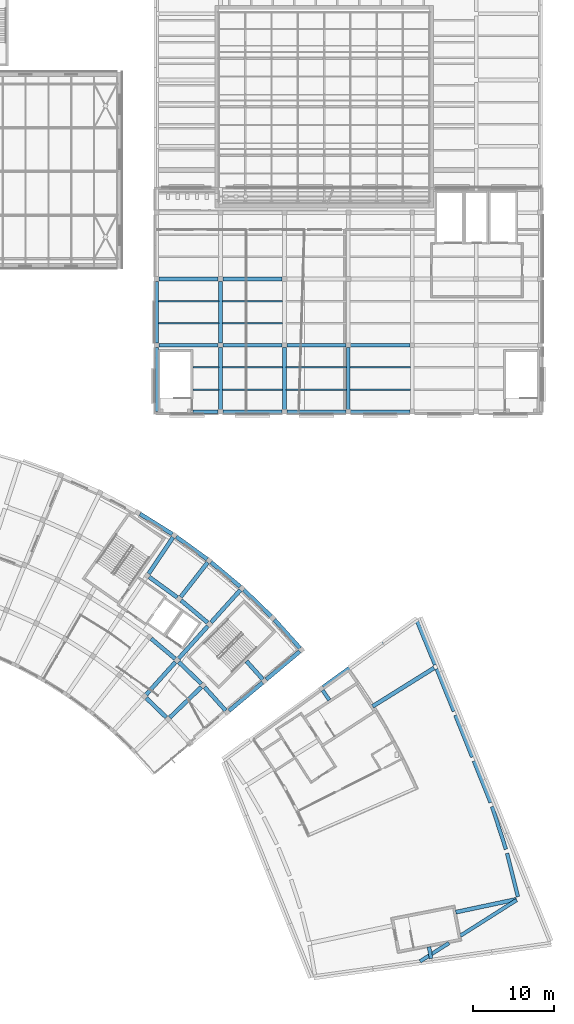
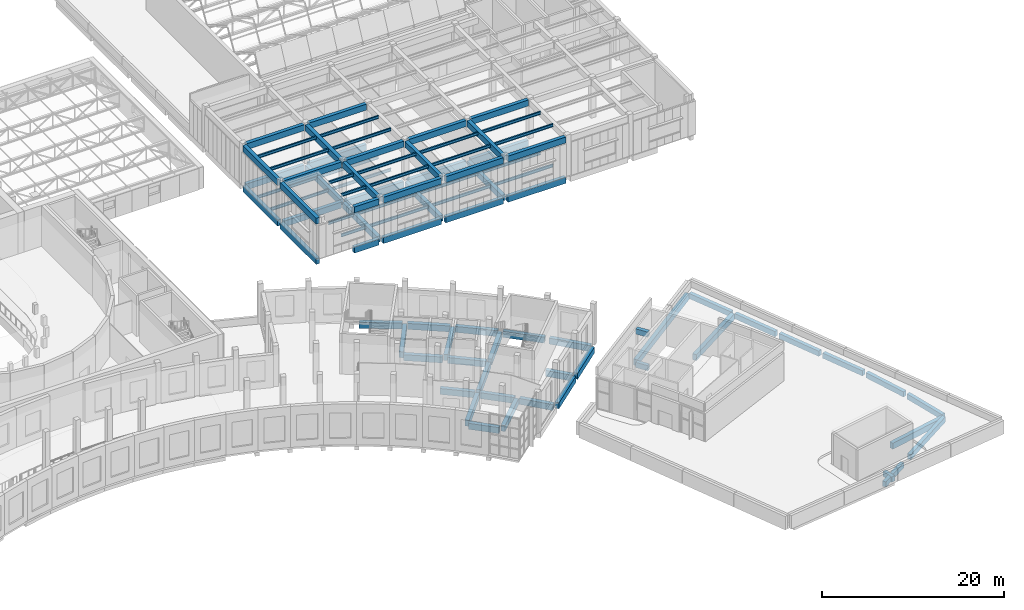
# One storey, part 46 of 132: 90 beams.
"""IFC4 building model written with IfcOpenShell, lengths in metres."""

from ifc_helpers import new_model, si_unit, direction, frame, origin, origin_2d, place, context, subcontext, project, spatial, rectangle, i_section, extrude, material, material_profile, profile_set, type_object, element, save


model = new_model("IFC4")

# Units and contexts
model_context = context("Model", 3, precision=1e-05, world=origin(), true_north=direction((0.0, 1.0)))
body_context = subcontext(model_context, "Body", "Model", "MODEL_VIEW")
ifc_project = project(units=[si_unit("LENGTHUNIT", "METRE"), si_unit("AREAUNIT", "SQUARE_METRE"), si_unit("VOLUMEUNIT", "CUBIC_METRE"), si_unit("PLANEANGLEUNIT", "RADIAN"), si_unit("MASSUNIT", "GRAM", prefix="KILO")], contexts=[model_context])

# Site, building, storey
site_placement = place(None, origin())
site = spatial("IfcSite", under=ifc_project, at=site_placement, CompositionType="ELEMENT")
building_placement = place(site_placement, origin())
building = spatial("IfcBuilding", under=site, at=building_placement, Name="Lunette Opera House", CompositionType="ELEMENT")
storey_placement = place(building_placement, frame((0.0, 0.0, 17.0)))
storey = spatial("IfcBuildingStorey", under=building, at=storey_placement, Name="L03", CompositionType="ELEMENT", Elevation=17.0)

# Beams
ifc_material_1 = material(Name="Concrete C35/45", Category="concrete")
ifc_material_profile_1 = material_profile(ifc_material_1, rectangle(XDim=0.449951171875, YDim=0.699951171875, at=origin_2d()), Name="RC BEAM 450X700")
ifc_profile_set_1 = profile_set([ifc_material_profile_1], Name="Concrete C35/45")
beam_type_1 = type_object("IfcBeamType", Name="RC BEAM 450X700", PredefinedType="BEAM", material=ifc_profile_set_1)
beam_1_placement = place(storey_placement, frame((156.823974609375, 43.864013671875, -0.64990234375), z_axis=(0.559555526977, -0.82879286449, 0.0), x_axis=(0.82879286449, 0.559555526977, 0.0)))
element("IfcBeam", 1, at=beam_1_placement, inside=storey, type_object=beam_type_1, Name="beam-SB-L03-L03G-RG10", PredefinedType="BEAM", context=body_context, shape_type="SweptSolid", body=[
    extrude(rectangle(XDim=0.449951171875, YDim=0.699951171875, at=origin_2d()), origin(), (0.0, 0.0, 1.0), 1.470703125),
])
beam_2_placement = place(storey_placement, frame((169.968994140625, 12.14697265625, -0.64990234375), z_axis=(0.173520096669, -0.98483032856, 0.0), x_axis=(0.98483032856, 0.173520096669, 0.0)))
element("IfcBeam", 2, at=beam_2_placement, inside=storey, type_object=beam_type_1, Name="beam-SB-L03-L03G-RG16", PredefinedType="BEAM", context=body_context, shape_type="SweptSolid", body=[
    extrude(rectangle(XDim=0.449951171875, YDim=0.699951171875, at=origin_2d()), origin(), (0.0, 0.0, 1.0), 1.47021484375),
])
beam_3_placement = place(storey_placement, frame((168.508056640625, 52.362060546875, -0.64990234375), z_axis=(0.380730757581, -0.924685941405, 0.0), x_axis=(0.924685941405, 0.380730757581, 0.0)))
element("IfcBeam", 3, at=beam_3_placement, inside=storey, type_object=beam_type_1, Name="beam-SB-L03-L03G-RG20", PredefinedType="BEAM", context=body_context, shape_type="SweptSolid", body=[
    extrude(rectangle(XDim=0.449951171875, YDim=0.699951171875, at=origin_2d()), origin(), (0.0, 0.0, 1.0), 5.802001953125),
])
beam_4_placement = place(storey_placement, frame((170.91796875, 46.506103515625, -0.64990234375), z_axis=(0.373792337648, -0.927512419494, 0.0), x_axis=(0.927512419494, 0.373792337648, 0.0)))
element("IfcBeam", 4, at=beam_4_placement, inside=storey, type_object=beam_type_1, Name="beam-SB-L03-L03G-RG21", PredefinedType="BEAM", context=body_context, shape_type="SweptSolid", body=[
    extrude(rectangle(XDim=0.449951171875, YDim=0.699951171875, at=origin_2d()), origin(), (0.0, 0.0, 1.0), 5.658203125),
])
beam_5_placement = place(storey_placement, frame((173.23193359375, 40.76611328125, -0.64990234375), z_axis=(0.374141105341, -0.927371788063, 0.0), x_axis=(0.927371788063, 0.374141105341, 0.0)))
element("IfcBeam", 5, at=beam_5_placement, inside=storey, type_object=beam_type_1, Name="beam-SB-L03-L03G-RG22", PredefinedType="BEAM", context=body_context, shape_type="SweptSolid", body=[
    extrude(rectangle(XDim=0.449951171875, YDim=0.699951171875, at=origin_2d()), origin(), (0.0, 0.0, 1.0), 5.5673828125),
])
beam_6_placement = place(storey_placement, frame((175.513916015625, 35.112060546875, -0.64990234375), z_axis=(0.374558549143, -0.927203264265, 0.0), x_axis=(0.927203264265, 0.374558549143, 0.0)))
element("IfcBeam", 6, at=beam_6_placement, inside=storey, type_object=beam_type_1, Name="beam-SB-L03-L03G-RG23", PredefinedType="BEAM", context=body_context, shape_type="SweptSolid", body=[
    extrude(rectangle(XDim=0.449951171875, YDim=0.699951171875, at=origin_2d()), origin(), (0.0, 0.0, 1.0), 5.537109375),
])
beam_7_placement = place(storey_placement, frame((177.76904296875, 29.47998046875, -0.64990234375), z_axis=(0.30910401414, -0.951028237458, 0.0), x_axis=(0.951028237458, 0.30910401414, 0.0)))
element("IfcBeam", 7, at=beam_7_placement, inside=storey, type_object=beam_type_1, Name="beam-SB-L03-L03G-RG24", PredefinedType="BEAM", context=body_context, shape_type="SweptSolid", body=[
    extrude(rectangle(XDim=0.449951171875, YDim=0.699951171875, at=origin_2d()), origin(), (0.0, 0.0, 1.0), 5.538330078125),
])
beam_8_placement = place(storey_placement, frame((179.626953125, 23.7041015625, -0.64990234375), z_axis=(0.241830131183, -0.970318601106, 0.0), x_axis=(0.970318601106, 0.241830131183, 0.0)))
element("IfcBeam", 8, at=beam_8_placement, inside=storey, type_object=beam_type_1, Name="beam-SB-L03-L03G-RG25", PredefinedType="BEAM", context=body_context, shape_type="SweptSolid", body=[
    extrude(rectangle(XDim=0.449951171875, YDim=0.699951171875, at=origin_2d()), origin(), (0.0, 0.0, 1.0), 5.537353515625),
])
beam_9_placement = place(storey_placement, frame((180.806884765625, 17.931884765625, -0.64990234375), z_axis=(-0.844138835531, -0.536124636954, 0.0), x_axis=(0.536124636954, -0.844138835531, 0.0)))
element("IfcBeam", 9, at=beam_9_placement, inside=storey, type_object=beam_type_1, Name="beam-SB-L03-L03G-RG26", PredefinedType="BEAM", context=body_context, shape_type="SweptSolid", body=[
    extrude(rectangle(XDim=0.449951171875, YDim=0.699951171875, at=origin_2d()), origin(), (0.0, 0.0, 1.0), 8.249755859375),
])
beam_10_placement = place(storey_placement, frame((172.445068359375, 12.6220703125, -0.64990234375), z_axis=(-0.844124171518, -0.536147725034, 0.0), x_axis=(0.536147725034, -0.844124171518, 0.0)))
element("IfcBeam", 10, at=beam_10_placement, inside=storey, type_object=beam_type_1, Name="beam-SB-L03-L03G-RG26-1", PredefinedType="BEAM", context=body_context, shape_type="SweptSolid", body=[
    extrude(rectangle(XDim=0.449951171875, YDim=0.699951171875, at=origin_2d()), origin(), (0.0, 0.0, 1.0), 4.23388671875),
])
beam_11_placement = place(storey_placement, frame((156.823974609375, 43.864013671875, 3.85009765625), z_axis=(0.559555526977, -0.82879286449, 0.0), x_axis=(0.82879286449, 0.559555526977, 0.0)))
element("IfcBeam", 11, at=beam_11_placement, inside=storey, type_object=beam_type_1, Name="beam-SB-L03-L03R-RG10", PredefinedType="BEAM", context=body_context, shape_type="SweptSolid", body=[
    extrude(rectangle(XDim=0.449951171875, YDim=0.699951171875, at=origin_2d()), origin(), (0.0, 0.0, 1.0), 1.470703125),
])
ifc_material_2 = material(Name="Concrete C35/45", Category="concrete")
ifc_material_profile_2 = material_profile(ifc_material_2, rectangle(XDim=0.449951171875, YDim=0.800048828125, at=origin_2d()), Name="RC BEAM 450X800")
ifc_profile_set_2 = profile_set([ifc_material_profile_2], Name="Concrete C35/45")
beam_type_2 = type_object("IfcBeamType", Name="RC BEAM 450X800", PredefinedType="BEAM", material=ifc_profile_set_2)
beam_12_placement = place(storey_placement, frame((136.300048828125, 78.300048828125, -0.550048828125), z_axis=(0.0, 1.0, 0.0), x_axis=(-1.0, 0.0, 0.0)))
element("IfcBeam", 12, at=beam_12_placement, inside=storey, type_object=beam_type_2, Name="beam-WW-L03-L03-GY00", PredefinedType="BEAM", context=body_context, shape_type="SweptSolid", body=[
    extrude(rectangle(XDim=0.449951171875, YDim=0.800048828125, at=origin_2d()), origin(), (0.0, 0.0, 1.0), 7.909912109375),
])
for number, where, z_axis, x_axis, name in (
    (13, (136.300048828125, 86.7900390625, -0.550048828125), (0.0, 1.0, 0.0), (-1.0, 0.0, 0.0), "beam-WW-L03-L03-GY01"),
    (14, (144.199951171875, 78.590087890625, -0.550048828125), (0.0, 1.0, 0.0), (-1.0, 0.0, 0.0), "beam-WW-L03-L03-GY10"),
    (15, (144.199951171875, 86.7900390625, -0.550048828125), (0.0, 1.0, 0.0), (-1.0, 0.0, 0.0), "beam-WW-L03-L03-GY11"),
    (16, (152.10009765625, 78.590087890625, -0.550048828125), (0.0, 1.0, 0.0), (-1.0, 0.0, 0.0), "beam-WW-L03-L03-GY20"),
    (17, (160.0, 78.590087890625, -0.550048828125), (0.0, 1.0, 0.0), (-1.0, 0.0, 0.0), "beam-WW-L03-L03-GY30"),
):
    element("IfcBeam", number, at=place(storey_placement, frame(where, z_axis=z_axis, x_axis=x_axis)), inside=storey, type_object=beam_type_2, Name=name, PredefinedType="BEAM", context=body_context, shape_type="SweptSolid", body=[
        extrude(rectangle(XDim=0.449951171875, YDim=0.800048828125, at=origin_2d()), origin(), (0.0, 0.0, 1.0), 7.619873046875),
    ])
beam_13_placement = place(storey_placement, frame((140.7900390625, 78.300048828125, -0.550048828125), z_axis=(1.0, 0.0, 0.0), x_axis=(0.0, 1.0, 0.0)))
element("IfcBeam", 18, at=beam_13_placement, inside=storey, type_object=beam_type_2, Name="beam-WW-L03-L03-GX00", PredefinedType="BEAM", context=body_context, shape_type="SweptSolid", body=[
    extrude(rectangle(XDim=0.449951171875, YDim=0.800048828125, at=origin_2d()), origin(), (0.0, 0.0, 1.0), 3.119873046875),
])
for number, where, z_axis, x_axis, name in (
    (19, (144.489990234375, 78.300048828125, -0.550048828125), (1.0, 0.0, 0.0), (0.0, 1.0, 0.0), "beam-WW-L03-L03-GX10"),
    (20, (152.389892578125, 78.300048828125, -0.550048828125), (1.0, 0.0, 0.0), (0.0, 1.0, 0.0), "beam-WW-L03-L03-GX20"),
    (21, (160.2900390625, 78.300048828125, -0.550048828125), (1.0, 0.0, 0.0), (0.0, 1.0, 0.0), "beam-WW-L03-L03-GX30"),
):
    element("IfcBeam", number, at=place(storey_placement, frame(where, z_axis=z_axis, x_axis=x_axis)), inside=storey, type_object=beam_type_2, Name=name, PredefinedType="BEAM", context=body_context, shape_type="SweptSolid", body=[
        extrude(rectangle(XDim=0.449951171875, YDim=0.800048828125, at=origin_2d()), origin(), (0.0, 0.0, 1.0), 7.320068359375),
    ])
beam_14_placement = place(storey_placement, frame((136.590087890625, 86.5, -0.550048828125), z_axis=(1.0, 0.0, 0.0), x_axis=(0.0, 1.0, 0.0)))
element("IfcBeam", 22, at=beam_14_placement, inside=storey, type_object=beam_type_2, Name="beam-WW-L03-L03-GX01", PredefinedType="BEAM", context=body_context, shape_type="SweptSolid", body=[
    extrude(rectangle(XDim=0.449951171875, YDim=0.800048828125, at=origin_2d()), origin(), (0.0, 0.0, 1.0), 7.31982421875),
])
for number, where, z_axis, x_axis, name in (
    (23, (144.489990234375, 86.5, -0.550048828125), (1.0, 0.0, 0.0), (0.0, 1.0, 0.0), "beam-WW-L03-L03-GX11"),
    (24, (152.389892578125, 86.5, -0.550048828125), (1.0, 0.0, 0.0), (0.0, 1.0, 0.0), "beam-WW-L03-L03-GX21"),
    (25, (160.2900390625, 86.5, -0.550048828125), (1.0, 0.0, 0.0), (0.0, 1.0, 0.0), "beam-WW-L03-L03-GX31"),
):
    element("IfcBeam", number, at=place(storey_placement, frame(where, z_axis=z_axis, x_axis=x_axis)), inside=storey, type_object=beam_type_2, Name=name, PredefinedType="BEAM", context=body_context, shape_type="SweptSolid", body=[
        extrude(rectangle(XDim=0.449951171875, YDim=0.800048828125, at=origin_2d()), origin(), (0.0, 0.0, 1.0), 7.320068359375),
    ])
beam_15_placement = place(storey_placement, frame((136.590087890625, 94.699951171875, -0.550048828125), z_axis=(1.0, 0.0, 0.0), x_axis=(0.0, 1.0, 0.0)))
element("IfcBeam", 26, at=beam_15_placement, inside=storey, type_object=beam_type_2, Name="beam-WW-L03-L03-GX02", PredefinedType="BEAM", context=body_context, shape_type="SweptSolid", body=[
    extrude(rectangle(XDim=0.449951171875, YDim=0.800048828125, at=origin_2d()), origin(), (0.0, 0.0, 1.0), 7.31982421875),
])
beam_16_placement = place(storey_placement, frame((144.489990234375, 94.699951171875, -0.550048828125), z_axis=(1.0, 0.0, 0.0), x_axis=(0.0, 1.0, 0.0)))
element("IfcBeam", 27, at=beam_16_placement, inside=storey, type_object=beam_type_2, Name="beam-WW-L03-L03-GX12", PredefinedType="BEAM", context=body_context, shape_type="SweptSolid", body=[
    extrude(rectangle(XDim=0.449951171875, YDim=0.800048828125, at=origin_2d()), origin(), (0.0, 0.0, 1.0), 7.320068359375),
])
beam_17_placement = place(storey_placement, frame((136.300048828125, 78.300048828125, 4.85009765625), z_axis=(0.0, 1.0, 0.0), x_axis=(-1.0, 0.0, 0.0)))
element("IfcBeam", 28, at=beam_17_placement, inside=storey, type_object=beam_type_2, Name="beam-WW-L03-L03R-GY00", PredefinedType="BEAM", context=body_context, shape_type="SweptSolid", body=[
    extrude(rectangle(XDim=0.449951171875, YDim=0.800048828125, at=origin_2d()), origin(), (0.0, 0.0, 1.0), 7.909912109375),
])
for number, where, z_axis, x_axis, name in (
    (29, (136.300048828125, 86.7900390625, 4.85009765625), (0.0, 1.0, 0.0), (-1.0, 0.0, 0.0), "beam-WW-L03-L03R-GY01"),
    (30, (144.199951171875, 78.590087890625, 4.85009765625), (0.0, 1.0, 0.0), (-1.0, 0.0, 0.0), "beam-WW-L03-L03R-GY10"),
    (31, (144.199951171875, 86.7900390625, 4.85009765625), (0.0, 1.0, 0.0), (-1.0, 0.0, 0.0), "beam-WW-L03-L03R-GY11"),
    (32, (152.10009765625, 78.590087890625, 4.85009765625), (0.0, 1.0, 0.0), (-1.0, 0.0, 0.0), "beam-WW-L03-L03R-GY20"),
    (33, (160.0, 78.590087890625, 4.85009765625), (0.0, 1.0, 0.0), (-1.0, 0.0, 0.0), "beam-WW-L03-L03R-GY30"),
):
    element("IfcBeam", number, at=place(storey_placement, frame(where, z_axis=z_axis, x_axis=x_axis)), inside=storey, type_object=beam_type_2, Name=name, PredefinedType="BEAM", context=body_context, shape_type="SweptSolid", body=[
        extrude(rectangle(XDim=0.449951171875, YDim=0.800048828125, at=origin_2d()), origin(), (0.0, 0.0, 1.0), 7.619873046875),
    ])
beam_18_placement = place(storey_placement, frame((140.7900390625, 78.300048828125, 4.85009765625), z_axis=(1.0, 0.0, 0.0), x_axis=(0.0, 1.0, 0.0)))
element("IfcBeam", 34, at=beam_18_placement, inside=storey, type_object=beam_type_2, Name="beam-WW-L03-L03R-GX00", PredefinedType="BEAM", context=body_context, shape_type="SweptSolid", body=[
    extrude(rectangle(XDim=0.449951171875, YDim=0.800048828125, at=origin_2d()), origin(), (0.0, 0.0, 1.0), 3.119873046875),
])
for number, where, z_axis, x_axis, name in (
    (35, (144.489990234375, 78.300048828125, 4.85009765625), (1.0, 0.0, 0.0), (0.0, 1.0, 0.0), "beam-WW-L03-L03R-GX10"),
    (36, (152.389892578125, 78.300048828125, 4.85009765625), (1.0, 0.0, 0.0), (0.0, 1.0, 0.0), "beam-WW-L03-L03R-GX20"),
    (37, (160.2900390625, 78.300048828125, 4.85009765625), (1.0, 0.0, 0.0), (0.0, 1.0, 0.0), "beam-WW-L03-L03R-GX30"),
):
    element("IfcBeam", number, at=place(storey_placement, frame(where, z_axis=z_axis, x_axis=x_axis)), inside=storey, type_object=beam_type_2, Name=name, PredefinedType="BEAM", context=body_context, shape_type="SweptSolid", body=[
        extrude(rectangle(XDim=0.449951171875, YDim=0.800048828125, at=origin_2d()), origin(), (0.0, 0.0, 1.0), 7.320068359375),
    ])
beam_19_placement = place(storey_placement, frame((136.590087890625, 86.5, 4.85009765625), z_axis=(1.0, 0.0, 0.0), x_axis=(0.0, 1.0, 0.0)))
element("IfcBeam", 38, at=beam_19_placement, inside=storey, type_object=beam_type_2, Name="beam-WW-L03-L03R-GX01", PredefinedType="BEAM", context=body_context, shape_type="SweptSolid", body=[
    extrude(rectangle(XDim=0.449951171875, YDim=0.800048828125, at=origin_2d()), origin(), (0.0, 0.0, 1.0), 7.31982421875),
])
for number, where, z_axis, x_axis, name in (
    (39, (144.489990234375, 86.5, 4.85009765625), (1.0, 0.0, 0.0), (0.0, 1.0, 0.0), "beam-WW-L03-L03R-GX11"),
    (40, (152.389892578125, 86.5, 4.85009765625), (1.0, 0.0, 0.0), (0.0, 1.0, 0.0), "beam-WW-L03-L03R-GX21"),
    (41, (160.2900390625, 86.5, 4.85009765625), (1.0, 0.0, 0.0), (0.0, 1.0, 0.0), "beam-WW-L03-L03R-GX31"),
):
    element("IfcBeam", number, at=place(storey_placement, frame(where, z_axis=z_axis, x_axis=x_axis)), inside=storey, type_object=beam_type_2, Name=name, PredefinedType="BEAM", context=body_context, shape_type="SweptSolid", body=[
        extrude(rectangle(XDim=0.449951171875, YDim=0.800048828125, at=origin_2d()), origin(), (0.0, 0.0, 1.0), 7.320068359375),
    ])
beam_20_placement = place(storey_placement, frame((136.590087890625, 94.699951171875, 4.85009765625), z_axis=(1.0, 0.0, 0.0), x_axis=(0.0, 1.0, 0.0)))
element("IfcBeam", 42, at=beam_20_placement, inside=storey, type_object=beam_type_2, Name="beam-WW-L03-L03R-GX02", PredefinedType="BEAM", context=body_context, shape_type="SweptSolid", body=[
    extrude(rectangle(XDim=0.449951171875, YDim=0.800048828125, at=origin_2d()), origin(), (0.0, 0.0, 1.0), 7.31982421875),
])
beam_21_placement = place(storey_placement, frame((144.489990234375, 94.699951171875, 4.85009765625), z_axis=(1.0, 0.0, 0.0), x_axis=(0.0, 1.0, 0.0)))
element("IfcBeam", 43, at=beam_21_placement, inside=storey, type_object=beam_type_2, Name="beam-WW-L03-L03R-GX12", PredefinedType="BEAM", context=body_context, shape_type="SweptSolid", body=[
    extrude(rectangle(XDim=0.449951171875, YDim=0.800048828125, at=origin_2d()), origin(), (0.0, 0.0, 1.0), 7.320068359375),
])
ifc_material_3 = material(Name="Concrete C35/45", Category="concrete")
ifc_material_profile_3 = material_profile(ifc_material_3, rectangle(XDim=0.5, YDim=0.800048828125, at=origin_2d()), Name="RC BEAM 500X800")
ifc_profile_set_3 = profile_set([ifc_material_profile_3], Name="Concrete C35/45")
beam_type_3 = type_object("IfcBeamType", Name="RC BEAM 500X800", PredefinedType="BEAM", material=ifc_profile_set_3)
beam_22_placement = place(storey_placement, frame((135.305908203125, 58.27294921875, -0.6201171875), z_axis=(0.559110702561, 0.82909301184, 0.0), x_axis=(-0.82909301184, 0.559110702561, 0.0)))
element("IfcBeam", 44, at=beam_22_placement, inside=storey, type_object=beam_type_3, Name="beam-FC-L03-L03-RB-RL-22-4", PredefinedType="BEAM", context=body_context, shape_type="SweptSolid", body=[
    extrude(rectangle(XDim=0.5, YDim=0.800048828125, at=origin_2d()), origin(), (0.0, 0.0, 1.0), 5.41943359375),
])
beam_23_placement = place(storey_placement, frame((139.27490234375, 55.388916015625, -0.6201171875), z_axis=(0.615694738136, 0.78798476472, 0.0), x_axis=(-0.78798476472, 0.615694738136, 0.0)))
element("IfcBeam", 45, at=beam_23_placement, inside=storey, type_object=beam_type_3, Name="beam-FC-L03-L03-RB-RL-23-4", PredefinedType="BEAM", context=body_context, shape_type="SweptSolid", body=[
    extrude(rectangle(XDim=0.5, YDim=0.800048828125, at=origin_2d()), origin(), (0.0, 0.0, 1.0), 5.420166015625),
])
beam_24_placement = place(storey_placement, frame((135.00390625, 43.318115234375, -0.6201171875), z_axis=(0.669059303024, 0.743209021095, 0.0), x_axis=(-0.743209021095, 0.669059303024, 0.0)))
element("IfcBeam", 46, at=beam_24_placement, inside=storey, type_object=beam_type_3, Name="beam-FC-L03-L03-RB-RL-24-2", PredefinedType="BEAM", context=body_context, shape_type="SweptSolid", body=[
    extrude(rectangle(XDim=0.5, YDim=0.800048828125, at=origin_2d()), origin(), (0.0, 0.0, 1.0), 5.41943359375),
])
beam_25_placement = place(storey_placement, frame((139.01806640625, 47.777099609375, -0.6201171875), z_axis=(0.66915881677, 0.743119423739, 0.0), x_axis=(-0.743119423739, 0.66915881677, 0.0)))
element("IfcBeam", 47, at=beam_25_placement, inside=storey, type_object=beam_type_3, Name="beam-FC-L03-L03-RB-RL-24-3", PredefinedType="BEAM", context=body_context, shape_type="SweptSolid", body=[
    extrude(rectangle(XDim=0.5, YDim=0.800048828125, at=origin_2d()), origin(), (0.0, 0.0, 1.0), 5.420166015625),
])
beam_26_placement = place(storey_placement, frame((143.032958984375, 52.236083984375, -0.6201171875), z_axis=(0.669248417117, 0.743038731283, 0.0), x_axis=(-0.743038731283, 0.669248417117, 0.0)))
element("IfcBeam", 48, at=beam_26_placement, inside=storey, type_object=beam_type_3, Name="beam-FC-L03-L03-RB-RL-24-4", PredefinedType="BEAM", context=body_context, shape_type="SweptSolid", body=[
    extrude(rectangle(XDim=0.5, YDim=0.800048828125, at=origin_2d()), origin(), (0.0, 0.0, 1.0), 5.41943359375),
])
beam_27_placement = place(storey_placement, frame((137.929931640625, 40.491943359375, -0.6201171875), z_axis=(0.719362654248, 0.694634703764, 0.0), x_axis=(-0.694634703764, 0.719362654248, 0.0)))
element("IfcBeam", 49, at=beam_27_placement, inside=storey, type_object=beam_type_3, Name="beam-FC-L03-L03-RB-RL-25-2", PredefinedType="BEAM", context=body_context, shape_type="SweptSolid", body=[
    extrude(rectangle(XDim=0.5, YDim=0.800048828125, at=origin_2d()), origin(), (0.0, 0.0, 1.0), 5.42041015625),
])
beam_28_placement = place(storey_placement, frame((145.2490234375, 41.324951171875, -0.6201171875), z_axis=(0.76601623697, 0.642821222968, 0.0), x_axis=(-0.642821222968, 0.76601623697, 0.0)))
element("IfcBeam", 50, at=beam_28_placement, inside=storey, type_object=beam_type_3, Name="beam-FC-L03-L03-RB-RL-26-3", PredefinedType="BEAM", context=body_context, shape_type="SweptSolid", body=[
    extrude(rectangle(XDim=0.5, YDim=0.800048828125, at=origin_2d()), origin(), (0.0, 0.0, 1.0), 5.420166015625),
])
beam_29_placement = place(storey_placement, frame((149.844970703125, 45.181884765625, -0.6201171875), z_axis=(0.766123568509, 0.64269329993, 0.0), x_axis=(-0.64269329993, 0.766123568509, 0.0)))
element("IfcBeam", 51, at=beam_29_placement, inside=storey, type_object=beam_type_3, Name="beam-FC-L03-L03-RB-RL-26-4", PredefinedType="BEAM", context=body_context, shape_type="SweptSolid", body=[
    extrude(rectangle(XDim=0.5, YDim=0.800048828125, at=origin_2d()), origin(), (0.0, 0.0, 1.0), 5.419677734375),
])
beam_30_placement = place(storey_placement, frame((135.01904296875, 42.89990234375, -0.6201171875), z_axis=(0.719392966206, -0.694603311375, 0.0), x_axis=(0.694603311375, 0.719392966206, 0.0)))
element("IfcBeam", 52, at=beam_30_placement, inside=storey, type_object=beam_type_3, Name="beam-FC-L03-L03-RG-AR-M1-RL-24", PredefinedType="BEAM", context=body_context, shape_type="SweptSolid", body=[
    extrude(rectangle(XDim=0.5, YDim=0.800048828125, at=origin_2d()), origin(), (0.0, 0.0, 1.0), 3.466552734375),
])
beam_31_placement = place(storey_placement, frame((135.6240234375, 50.24609375, -0.6201171875), z_axis=(0.76614764774, -0.642664595153, 0.0), x_axis=(0.642664595153, 0.76614764774, 0.0)))
element("IfcBeam", 53, at=beam_31_placement, inside=storey, type_object=beam_type_3, Name="beam-FC-L03-L03-RG-AR-B-RL-23", PredefinedType="BEAM", context=body_context, shape_type="SweptSolid", body=[
    extrude(rectangle(XDim=0.5, YDim=0.800048828125, at=origin_2d()), origin(), (0.0, 0.0, 1.0), 3.886962890625),
])
beam_32_placement = place(storey_placement, frame((139.032958984375, 47.35888671875, -0.6201171875), z_axis=(0.719497793306, -0.694494726709, 0.0), x_axis=(0.694494726709, 0.719497793306, 0.0)))
element("IfcBeam", 54, at=beam_32_placement, inside=storey, type_object=beam_type_3, Name="beam-FC-L03-L03-RG-AR-B-RL-24", PredefinedType="BEAM", context=body_context, shape_type="SweptSolid", body=[
    extrude(rectangle(XDim=0.5, YDim=0.800048828125, at=origin_2d()), origin(), (0.0, 0.0, 1.0), 3.88623046875),
])
beam_33_placement = place(storey_placement, frame((142.23193359375, 44.241943359375, -0.6201171875), z_axis=(0.669238854245, -0.743047344365, 0.0), x_axis=(0.743047344365, 0.669238854245, 0.0)))
element("IfcBeam", 55, at=beam_33_placement, inside=storey, type_object=beam_type_3, Name="beam-FC-L03-L03-RG-AR-B-RL-25", PredefinedType="BEAM", context=body_context, shape_type="SweptSolid", body=[
    extrude(rectangle(XDim=0.5, YDim=0.800048828125, at=origin_2d()), origin(), (0.0, 0.0, 1.0), 3.88671875),
])
beam_34_placement = place(storey_placement, frame((135.37890625, 57.862060546875, -0.6201171875), z_axis=(0.809008257327, -0.587797277619, 0.0), x_axis=(0.587797277619, 0.809008257327, 0.0)))
element("IfcBeam", 56, at=beam_34_placement, inside=storey, type_object=beam_type_3, Name="beam-FC-L03-L03-RG-AR-M2-RL-22", PredefinedType="BEAM", context=body_context, shape_type="SweptSolid", body=[
    extrude(rectangle(XDim=0.5, YDim=0.800048828125, at=origin_2d()), origin(), (0.0, 0.0, 1.0), 4.30419921875),
])
beam_35_placement = place(storey_placement, frame((139.318115234375, 54.97412109375, -0.6201171875), z_axis=(0.766153717556, -0.642657358998, 0.0), x_axis=(0.642657358998, 0.766153717556, 0.0)))
element("IfcBeam", 57, at=beam_35_placement, inside=storey, type_object=beam_type_3, Name="beam-FC-L03-L03-RG-AR-M2-RL-23", PredefinedType="BEAM", context=body_context, shape_type="SweptSolid", body=[
    extrude(rectangle(XDim=0.5, YDim=0.800048828125, at=origin_2d()), origin(), (0.0, 0.0, 1.0), 4.3056640625),
])
beam_36_placement = place(storey_placement, frame((147.405029296875, 47.458984375, -0.6201171875), z_axis=(0.66908957812, -0.743181765419, 0.0), x_axis=(0.743181765419, 0.66908957812, 0.0)))
element("IfcBeam", 58, at=beam_36_placement, inside=storey, type_object=beam_type_3, Name="beam-FC-L03-L03-RG-AR-M2-RL-25", PredefinedType="BEAM", context=body_context, shape_type="SweptSolid", body=[
    extrude(rectangle(XDim=0.5, YDim=0.800048828125, at=origin_2d()), origin(), (0.0, 0.0, 1.0), 3.02490234375),
])
beam_37_placement = place(storey_placement, frame((134.24609375, 65.6640625, -0.6201171875), z_axis=(0.848102800319, -0.529831709217, 0.0), x_axis=(0.529831709217, 0.848102800319, 0.0)))
element("IfcBeam", 59, at=beam_37_placement, inside=storey, type_object=beam_type_3, Name="beam-FC-L03-L03-RG-AR-C-RL-21", PredefinedType="BEAM", context=body_context, shape_type="SweptSolid", body=[
    extrude(rectangle(XDim=0.5, YDim=0.800048828125, at=origin_2d()), origin(), (0.0, 0.0, 1.0), 4.724365234375),
])
beam_38_placement = place(storey_placement, frame((138.73388671875, 62.8359375, -0.6201171875), z_axis=(0.809044453517, -0.587747456169, 0.0), x_axis=(0.587747456169, 0.809044453517, 0.0)))
element("IfcBeam", 60, at=beam_38_placement, inside=storey, type_object=beam_type_3, Name="beam-FC-L03-L03-RG-AR-C-RL-22", PredefinedType="BEAM", context=body_context, shape_type="SweptSolid", body=[
    extrude(rectangle(XDim=0.5, YDim=0.800048828125, at=origin_2d()), origin(), (0.0, 0.0, 1.0), 4.722900390625),
])
beam_39_placement = place(storey_placement, frame((143.011962890625, 59.701904296875, -0.6201171875), z_axis=(0.76622683329, -0.642570182895, 0.0), x_axis=(0.642570182895, 0.76622683329, 0.0)))
element("IfcBeam", 61, at=beam_39_placement, inside=storey, type_object=beam_type_3, Name="beam-FC-L03-L03-RG-AR-C-RL-23", PredefinedType="BEAM", context=body_context, shape_type="SweptSolid", body=[
    extrude(rectangle(XDim=0.5, YDim=0.800048828125, at=origin_2d()), origin(), (0.0, 0.0, 1.0), 4.724609375),
])
for number, where, z_axis, x_axis, name in (
    (62, (147.06298828125, 56.277099609375, -0.6201171875), (0.719377413879, -0.694619418388, 0.0), (0.694619418388, 0.719377413879, 0.0), "beam-FC-L03-L03-RG-AR-C-RL-24"),
    (63, (150.864013671875, 52.577880859375, -0.6201171875), (0.66921028661, -0.743073073322, 0.0), (0.743073073322, 0.66921028661, 0.0), "beam-FC-L03-L03-RG-AR-C-RL-25"),
):
    element("IfcBeam", number, at=place(storey_placement, frame(where, z_axis=z_axis, x_axis=x_axis)), inside=storey, type_object=beam_type_3, Name=name, PredefinedType="BEAM", context=body_context, shape_type="SweptSolid", body=[
        extrude(rectangle(XDim=0.5, YDim=0.800048828125, at=origin_2d()), origin(), (0.0, 0.0, 1.0), 4.723388671875),
    ])
beam_40_placement = place(storey_placement, frame((156.89111328125, 44.239990234375, -0.699951171875), z_axis=(0.809032229307, 0.587764282636, 0.0), x_axis=(-0.587764282636, 0.809032229307, 0.0)))
element("IfcBeam", 64, at=beam_40_placement, inside=storey, type_object=beam_type_3, Name="beam-SB-L03-L03G-RB10", PredefinedType="BEAM", context=body_context, shape_type="SweptSolid", body=[
    extrude(rectangle(XDim=0.5, YDim=0.800048828125, at=origin_2d()), origin(), (0.0, 0.0, 1.0), 13.9697265625),
])
beam_41_placement = place(storey_placement, frame((162.9970703125, 41.864990234375, -0.699951171875), z_axis=(0.848097816206, 0.529839687214, 0.0), x_axis=(-0.529839687214, 0.848097816206, 0.0)))
element("IfcBeam", 65, at=beam_41_placement, inside=storey, type_object=beam_type_3, Name="beam-SB-L03-L03G-RB11", PredefinedType="BEAM", context=body_context, shape_type="SweptSolid", body=[
    extrude(rectangle(XDim=0.5, YDim=0.800048828125, at=origin_2d()), origin(), (0.0, 0.0, 1.0), 8.95751953125),
])
beam_42_placement = place(storey_placement, frame((173.27587890625, 16.425048828125, -0.699951171875), z_axis=(0.978124828899, 0.208018795045, 0.0), x_axis=(-0.208018795045, 0.978124828899, 0.0)))
element("IfcBeam", 66, at=beam_42_placement, inside=storey, type_object=beam_type_3, Name="beam-SB-L03-L03G-RB16", PredefinedType="BEAM", context=body_context, shape_type="SweptSolid", body=[
    extrude(rectangle(XDim=0.5, YDim=0.800048828125, at=origin_2d()), origin(), (0.0, 0.0, 1.0), 7.662841796875),
])
ifc_material_4 = material(Name="Steel S355", Category="steel")
ifc_material_profile_4 = material_profile(ifc_material_4, i_section(OverallWidth=0.179931640625, OverallDepth=0.39990234375, WebThickness=0.008544921875, FlangeThickness=0.013427734375, FilletRadius=0.02099609375, at=origin_2d()), Name="IPE 400")
ifc_profile_set_4 = profile_set([ifc_material_profile_4], Name="Steel S355")
beam_type_4 = type_object("IfcBeamType", Name="STEEL BEAM IPE 400", PredefinedType="BEAM", material=ifc_profile_set_4)
for number, where, z_axis, x_axis, name in (
    (67, (140.800048828125, 81.032958984375, -0.35009765625), (1.0, 0.0, 0.0), (0.0, 1.0, 0.0), "beam-WW-L03-L03-SX001"),
    (68, (140.800048828125, 83.76708984375, -0.35009765625), (1.0, 0.0, 0.0), (0.0, 1.0, 0.0), "beam-WW-L03-L03-SX002"),
):
    element("IfcBeam", number, at=place(storey_placement, frame(where, z_axis=z_axis, x_axis=x_axis)), inside=storey, type_object=beam_type_4, Name=name, PredefinedType="BEAM", context=body_context, shape_type="SweptSolid", body=[
        extrude(i_section(OverallWidth=0.179931640625, OverallDepth=0.39990234375, WebThickness=0.008544921875, FlangeThickness=0.013427734375, FilletRadius=0.02099609375, at=origin_2d()), origin(), (0.0, 0.0, 1.0), 3.18505859375),
    ])
for number, where, z_axis, x_axis, name in (
    (69, (136.514892578125, 89.23291015625, -0.35009765625), (1.0, 0.0, 0.0), (0.0, 1.0, 0.0), "beam-WW-L03-L03-SX011"),
    (70, (136.514892578125, 91.967041015625, -0.35009765625), (1.0, 0.0, 0.0), (0.0, 1.0, 0.0), "beam-WW-L03-L03-SX012"),
):
    element("IfcBeam", number, at=place(storey_placement, frame(where, z_axis=z_axis, x_axis=x_axis)), inside=storey, type_object=beam_type_4, Name=name, PredefinedType="BEAM", context=body_context, shape_type="SweptSolid", body=[
        extrude(i_section(OverallWidth=0.179931640625, OverallDepth=0.39990234375, WebThickness=0.008544921875, FlangeThickness=0.013427734375, FilletRadius=0.02099609375, at=origin_2d()), origin(), (0.0, 0.0, 1.0), 7.47021484375),
    ])
for number, where, z_axis, x_axis, name in (
    (71, (144.4150390625, 81.032958984375, -0.35009765625), (1.0, 0.0, 0.0), (0.0, 1.0, 0.0), "beam-WW-L03-L03-SX101"),
    (72, (144.4150390625, 83.76708984375, -0.35009765625), (1.0, 0.0, 0.0), (0.0, 1.0, 0.0), "beam-WW-L03-L03-SX102"),
    (73, (144.4150390625, 89.23291015625, -0.35009765625), (1.0, 0.0, 0.0), (0.0, 1.0, 0.0), "beam-WW-L03-L03-SX111"),
    (74, (144.4150390625, 91.967041015625, -0.35009765625), (1.0, 0.0, 0.0), (0.0, 1.0, 0.0), "beam-WW-L03-L03-SX112"),
    (75, (152.31494140625, 81.032958984375, -0.35009765625), (1.0, 0.0, 0.0), (0.0, 1.0, 0.0), "beam-WW-L03-L03-SX201"),
    (76, (152.31494140625, 83.76708984375, -0.35009765625), (1.0, 0.0, 0.0), (0.0, 1.0, 0.0), "beam-WW-L03-L03-SX202"),
    (77, (160.215087890625, 81.032958984375, -0.35009765625), (1.0, 0.0, 0.0), (0.0, 1.0, 0.0), "beam-WW-L03-L03-SX301"),
    (78, (160.215087890625, 83.76708984375, -0.35009765625), (1.0, 0.0, 0.0), (0.0, 1.0, 0.0), "beam-WW-L03-L03-SX302"),
):
    element("IfcBeam", number, at=place(storey_placement, frame(where, z_axis=z_axis, x_axis=x_axis)), inside=storey, type_object=beam_type_4, Name=name, PredefinedType="BEAM", context=body_context, shape_type="SweptSolid", body=[
        extrude(i_section(OverallWidth=0.179931640625, OverallDepth=0.39990234375, WebThickness=0.008544921875, FlangeThickness=0.013427734375, FilletRadius=0.02099609375, at=origin_2d()), origin(), (0.0, 0.0, 1.0), 7.469970703125),
    ])
for number, where, z_axis, x_axis, name in (
    (79, (140.800048828125, 81.032958984375, 5.050048828125), (1.0, 0.0, 0.0), (0.0, 1.0, 0.0), "beam-WW-L03-L03R-SX001"),
    (80, (140.800048828125, 83.76708984375, 5.050048828125), (1.0, 0.0, 0.0), (0.0, 1.0, 0.0), "beam-WW-L03-L03R-SX002"),
):
    element("IfcBeam", number, at=place(storey_placement, frame(where, z_axis=z_axis, x_axis=x_axis)), inside=storey, type_object=beam_type_4, Name=name, PredefinedType="BEAM", context=body_context, shape_type="SweptSolid", body=[
        extrude(i_section(OverallWidth=0.179931640625, OverallDepth=0.39990234375, WebThickness=0.008544921875, FlangeThickness=0.013427734375, FilletRadius=0.02099609375, at=origin_2d()), origin(), (0.0, 0.0, 1.0), 3.18505859375),
    ])
for number, where, z_axis, x_axis, name in (
    (81, (136.514892578125, 89.23291015625, 5.050048828125), (1.0, 0.0, 0.0), (0.0, 1.0, 0.0), "beam-WW-L03-L03R-SX011"),
    (82, (136.514892578125, 91.967041015625, 5.050048828125), (1.0, 0.0, 0.0), (0.0, 1.0, 0.0), "beam-WW-L03-L03R-SX012"),
):
    element("IfcBeam", number, at=place(storey_placement, frame(where, z_axis=z_axis, x_axis=x_axis)), inside=storey, type_object=beam_type_4, Name=name, PredefinedType="BEAM", context=body_context, shape_type="SweptSolid", body=[
        extrude(i_section(OverallWidth=0.179931640625, OverallDepth=0.39990234375, WebThickness=0.008544921875, FlangeThickness=0.013427734375, FilletRadius=0.02099609375, at=origin_2d()), origin(), (0.0, 0.0, 1.0), 7.47021484375),
    ])
for number, where, z_axis, x_axis, name in (
    (83, (144.4150390625, 81.032958984375, 5.050048828125), (1.0, 0.0, 0.0), (0.0, 1.0, 0.0), "beam-WW-L03-L03R-SX101"),
    (84, (144.4150390625, 83.76708984375, 5.050048828125), (1.0, 0.0, 0.0), (0.0, 1.0, 0.0), "beam-WW-L03-L03R-SX102"),
    (85, (144.4150390625, 89.23291015625, 5.050048828125), (1.0, 0.0, 0.0), (0.0, 1.0, 0.0), "beam-WW-L03-L03R-SX111"),
    (86, (144.4150390625, 91.967041015625, 5.050048828125), (1.0, 0.0, 0.0), (0.0, 1.0, 0.0), "beam-WW-L03-L03R-SX112"),
    (87, (152.31494140625, 81.032958984375, 5.050048828125), (1.0, 0.0, 0.0), (0.0, 1.0, 0.0), "beam-WW-L03-L03R-SX201"),
    (88, (152.31494140625, 83.76708984375, 5.050048828125), (1.0, 0.0, 0.0), (0.0, 1.0, 0.0), "beam-WW-L03-L03R-SX202"),
    (89, (160.215087890625, 81.032958984375, 5.050048828125), (1.0, 0.0, 0.0), (0.0, 1.0, 0.0), "beam-WW-L03-L03R-SX301"),
    (90, (160.215087890625, 83.76708984375, 5.050048828125), (1.0, 0.0, 0.0), (0.0, 1.0, 0.0), "beam-WW-L03-L03R-SX302"),
):
    element("IfcBeam", number, at=place(storey_placement, frame(where, z_axis=z_axis, x_axis=x_axis)), inside=storey, type_object=beam_type_4, Name=name, PredefinedType="BEAM", context=body_context, shape_type="SweptSolid", body=[
        extrude(i_section(OverallWidth=0.179931640625, OverallDepth=0.39990234375, WebThickness=0.008544921875, FlangeThickness=0.013427734375, FilletRadius=0.02099609375, at=origin_2d()), origin(), (0.0, 0.0, 1.0), 7.469970703125),
    ])

save(model, "model.ifc")
